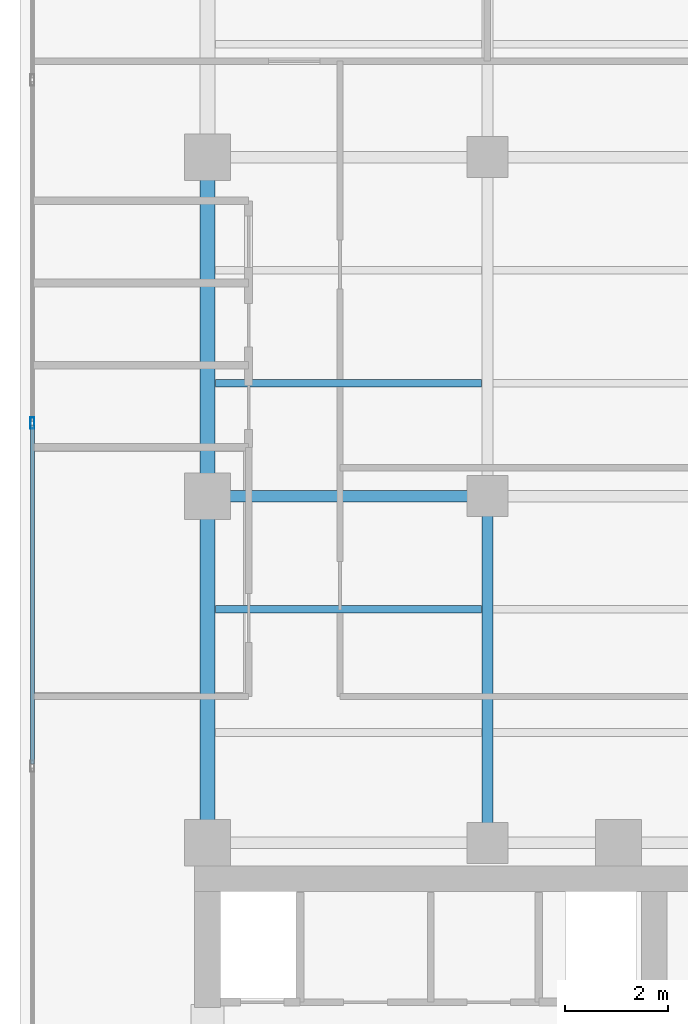
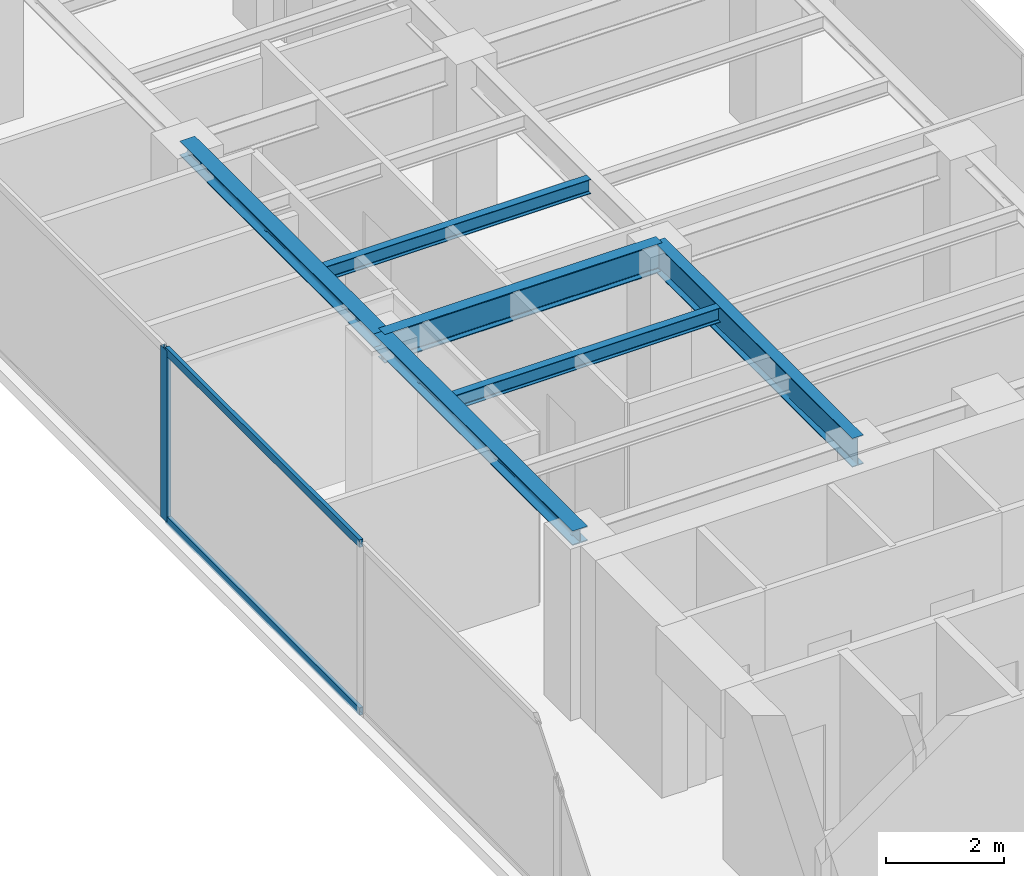
# One storey, part 8 of 24: 6 beams, 3 members, 1 element without a shape of its own.
"""IFC4 building model written with IfcOpenShell, lengths in metres."""

from ifc_helpers import new_model, si_unit, direction, frame, origin, origin_with_axes, origin_2d, place, context, subcontext, project, spatial, hollow_rectangle, i_section, extrude, source, transform, mapped, material, layer, layer_set, material_profile, profile_set, type_object, element, aggregate, save


model = new_model("IFC4")

# Units and contexts
model_context = context("Model", 3, precision=1e-05, world=origin(), true_north=direction((0.0, 1.0)))
body_context = subcontext(model_context, "Body", "Model", "MODEL_VIEW")
ifc_project = project(units=[si_unit("LENGTHUNIT", "METRE"), si_unit("AREAUNIT", "SQUARE_METRE"), si_unit("VOLUMEUNIT", "CUBIC_METRE"), si_unit("PLANEANGLEUNIT", "RADIAN"), si_unit("MASSUNIT", "GRAM", prefix="KILO")], contexts=[model_context])

# Site, building, storey
site_placement = place(None, origin())
site = spatial("IfcSite", under=ifc_project, at=site_placement, CompositionType="ELEMENT")
building_placement = place(site_placement, origin())
building = spatial("IfcBuilding", under=site, at=building_placement, Name="Kolvaren Waterfront Exchange", CompositionType="ELEMENT")
storey_placement = place(building_placement, frame((0.0, 0.0, 316.0)))
storey = spatial("IfcBuildingStorey", under=building, at=storey_placement, Name="L81", CompositionType="ELEMENT", Elevation=316.0)

# Beams
ifc_material_1 = material(Name="Steel S355", Category="steel")
ifc_material_profile_1 = material_profile(ifc_material_1, i_section(OverallWidth=0.300048828125, OverallDepth=0.300048828125, WebThickness=0.010986328125, FlangeThickness=0.01904296875, FilletRadius=0.027099609375, at=origin_2d()), Name="HEB300")
ifc_profile_set_1 = profile_set([ifc_material_profile_1], Name="Steel S355")
beam_type_1 = type_object("IfcBeamType", Name="STR-BM-HEB300", PredefinedType="SPANDREL", material=ifc_profile_set_1)
beam_1_placement = place(storey_placement, frame((7.449951171875, 24.449951171875, 3.409912109375), z_axis=(0.0, 1.0, 0.0), x_axis=(-1.0, 0.0, 0.0)))
element("IfcBeam", 1, at=beam_1_placement, inside=storey, type_object=beam_type_1, Name="L81 north-arm edge beam 1", PredefinedType="SPANDREL", context=body_context, shape_type="SweptSolid", body=[
    extrude(i_section(OverallWidth=0.300048828125, OverallDepth=0.300048828125, WebThickness=0.010986328125, FlangeThickness=0.01904296875, FilletRadius=0.027099609375, at=origin_2d()), origin(), (0.0, 0.0, 1.0), 6.75),
])
beam_2_placement = place(storey_placement, frame((7.449951171875, 31.199951171875, 3.409912109375), z_axis=(0.0, 1.0, 0.0), x_axis=(-1.0, 0.0, 0.0)))
element("IfcBeam", 2, at=beam_2_placement, inside=storey, type_object=beam_type_1, Name="L81 north-arm edge beam 2", PredefinedType="SPANDREL", context=body_context, shape_type="SweptSolid", body=[
    extrude(i_section(OverallWidth=0.300048828125, OverallDepth=0.300048828125, WebThickness=0.010986328125, FlangeThickness=0.01904296875, FilletRadius=0.027099609375, at=origin_2d()), origin(), (0.0, 0.0, 1.0), 6.60009765625),
])
ifc_material_profile_2 = material_profile(ifc_material_1, i_section(OverallWidth=0.14990234375, OverallDepth=0.300048828125, WebThickness=0.007080078125, FlangeThickness=0.0107421875, FilletRadius=0.014892578125, at=origin_2d()), Name="IPE300")
ifc_profile_set_2 = profile_set([ifc_material_profile_2], Name="Steel S355")
beam_type_2 = type_object("IfcBeamType", Name="STR-BM-IPE300", PredefinedType="JOIST", material=ifc_profile_set_2)
for number, where, z_axis, x_axis, name in (
    (3, (7.60205078125, 29.0, 3.409912109375), (1.0, 0.0, 0.0), (0.0, 1.0, 0.0), "L81 north-arm composite joist 2A"),
    (4, (7.60205078125, 33.39990234375, 3.409912109375), (1.0, 0.0, 0.0), (0.0, 1.0, 0.0), "L81 north-arm composite joist 3A"),
):
    element("IfcBeam", number, at=place(storey_placement, frame(where, z_axis=z_axis, x_axis=x_axis)), inside=storey, type_object=beam_type_2, Name=name, PredefinedType="JOIST", context=body_context, shape_type="SweptSolid", body=[
        extrude(i_section(OverallWidth=0.14990234375, OverallDepth=0.300048828125, WebThickness=0.007080078125, FlangeThickness=0.0107421875, FilletRadius=0.014892578125, at=origin_2d()), origin(), (0.0, 0.0, 1.0), 5.18603515625),
    ])
ifc_material_profile_3 = material_profile(ifc_material_1, i_section(OverallWidth=0.219970703125, OverallDepth=0.60009765625, WebThickness=0.011962890625, FlangeThickness=0.01904296875, FilletRadius=0.02392578125, at=origin_2d()), Name="IPE600")
ifc_profile_set_3 = profile_set([ifc_material_profile_3], Name="Steel S355")
beam_type_3 = type_object("IfcBeamType", Name="STR-BM-IPE600", PredefinedType="BEAM", material=ifc_profile_set_3)
beam_3_placement = place(storey_placement, frame((7.449951171875, 31.199951171875, 3.260009765625), z_axis=(1.0, 0.0, 0.0), x_axis=(0.0, 1.0, 0.0)))
element("IfcBeam", 5, at=beam_3_placement, inside=storey, type_object=beam_type_3, Name="L81 north-arm girder 2A", PredefinedType="BEAM", context=body_context, shape_type="SweptSolid", body=[
    extrude(i_section(OverallWidth=0.219970703125, OverallDepth=0.60009765625, WebThickness=0.011962890625, FlangeThickness=0.01904296875, FilletRadius=0.02392578125, at=origin_2d()), origin(), (0.0, 0.0, 1.0), 5.449951171875),
])
beam_4_placement = place(storey_placement, frame((12.89990234375, 24.449951171875, 3.260009765625), z_axis=(0.0, 1.0, 0.0), x_axis=(-1.0, 0.0, 0.0)))
element("IfcBeam", 6, at=beam_4_placement, inside=storey, type_object=beam_type_3, Name="L81 north-arm edge beam 1", PredefinedType="BEAM", context=body_context, shape_type="SweptSolid", body=[
    extrude(i_section(OverallWidth=0.219970703125, OverallDepth=0.60009765625, WebThickness=0.011962890625, FlangeThickness=0.01904296875, FilletRadius=0.02392578125, at=origin_2d()), origin(), (0.0, 0.0, 1.0), 6.75),
])

# Curtain wall, members
ifc_material_2 = material(Name="Anodised aluminium 6063-T6", Category="aluminium")
ifc_layer = layer(ifc_material_2, 0.219970703125, Name="Anodised aluminium 6063-T6")
ifc_layer_set = layer_set([ifc_layer], Name="Anodised aluminium 6063-T6")
curtain_wall_type = type_object("IfcCurtainWallType", Name="ARC-CW-SYS2", PredefinedType="USERDEFINED", material=ifc_layer_set)
curtain_wall_placement = place(storey_placement, origin())
curtain_wall = element("IfcCurtainWall", 7, at=curtain_wall_placement, inside=storey, type_object=curtain_wall_type, Name="L81 stick curtain wall CW2 (CW-L81-W)", ObjectType="STICK CURTAIN WALL", PredefinedType="USERDEFINED")
ifc_material_profile_4 = material_profile(ifc_material_2, hollow_rectangle(XDim=0.080078125, YDim=0.219970703125, WallThickness=0.0048828125, at=origin_2d()), Name="ALU-MUL-220x80x5")
ifc_profile_set_4 = profile_set([ifc_material_profile_4], Name="Anodised aluminium 6063-T6")
member_type_1 = type_object("IfcMemberType", Name="ARC-CWM-220", PredefinedType="MULLION", material=ifc_profile_set_4)
shared_shape_1 = source(origin_with_axes(), body_context, "Body", "SweptSolid", [
    extrude(hollow_rectangle(XDim=0.080078125, YDim=0.219970703125, WallThickness=0.0048828125, at=origin_2d()), origin(), (0.0, 0.0, 1.0), 3.56005859375),
])
member_1_placement = place(storey_placement, frame((4.0400390625, 32.622802734375, 0.0), z_axis=(0.0, 0.0, 1.0), x_axis=(-1.0, 0.0, 0.0)))
member_1 = element("IfcMember", 8, at=member_1_placement, type_object=member_type_1, Name="CW2 mullion 5", PredefinedType="MULLION", context=body_context, shape_type="MappedRepresentation", body=[
    mapped(shared_shape_1, transform((0.0, 0.0, 0.0), x_axis=(1.0, 0.0, 0.0), y_axis=(0.0, 1.0, 0.0), z_axis=(0.0, 0.0, 1.0), scale=1.0)),
])
ifc_material_profile_5 = material_profile(ifc_material_2, hollow_rectangle(XDim=0.074951171875, YDim=0.159912109375, WallThickness=0.00439453125, at=origin_2d()), Name="ALU-TRN-160x75x4.5")
ifc_profile_set_5 = profile_set([ifc_material_profile_5], Name="Anodised aluminium 6063-T6")
member_type_2 = type_object("IfcMemberType", Name="ARC-CWT-160", PredefinedType="USERDEFINED", material=ifc_profile_set_5)
shared_shape_2 = source(origin_with_axes(), body_context, "Body", "SweptSolid", [
    extrude(hollow_rectangle(XDim=0.074951171875, YDim=0.159912109375, WallThickness=0.00439453125, at=origin_2d()), origin(), (0.0, 0.0, 1.0), 6.6005859375),
])
member_2_placement = place(storey_placement, frame((4.0400390625, 25.982177734375, 0.03759765625), z_axis=(0.0, 1.0, 0.0), x_axis=(-1.0, 0.0, 0.0)))
member_2 = element("IfcMember", 9, at=member_2_placement, type_object=member_type_2, Name="CW2 transom 4.1", ObjectType="TRANSOM", PredefinedType="USERDEFINED", context=body_context, shape_type="MappedRepresentation", body=[
    mapped(shared_shape_2, transform((0.0, 0.0, 0.0), x_axis=(1.0, 0.0, 0.0), y_axis=(0.0, 1.0, 0.0), z_axis=(0.0, 0.0, 1.0), scale=1.0)),
])
member_3_placement = place(storey_placement, frame((4.0400390625, 25.982177734375, 3.5224609375), z_axis=(0.0, 1.0, 0.0), x_axis=(-1.0, 0.0, 0.0)))
member_3 = element("IfcMember", 10, at=member_3_placement, type_object=member_type_2, Name="CW2 transom 4.2", ObjectType="TRANSOM", PredefinedType="USERDEFINED", context=body_context, shape_type="MappedRepresentation", body=[
    mapped(shared_shape_2, transform((0.0, 0.0, 0.0), x_axis=(1.0, 0.0, 0.0), y_axis=(0.0, 1.0, 0.0), z_axis=(0.0, 0.0, 1.0), scale=1.0)),
])
aggregate(curtain_wall, [member_1, member_2, member_3])

save(model, "model.ifc")
